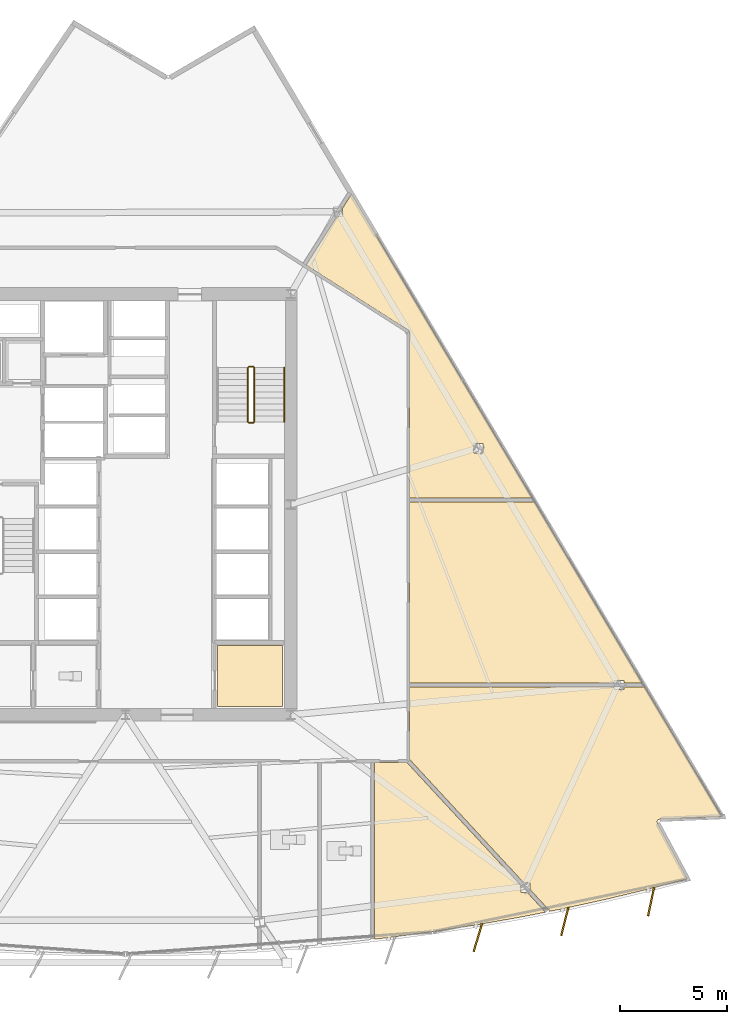
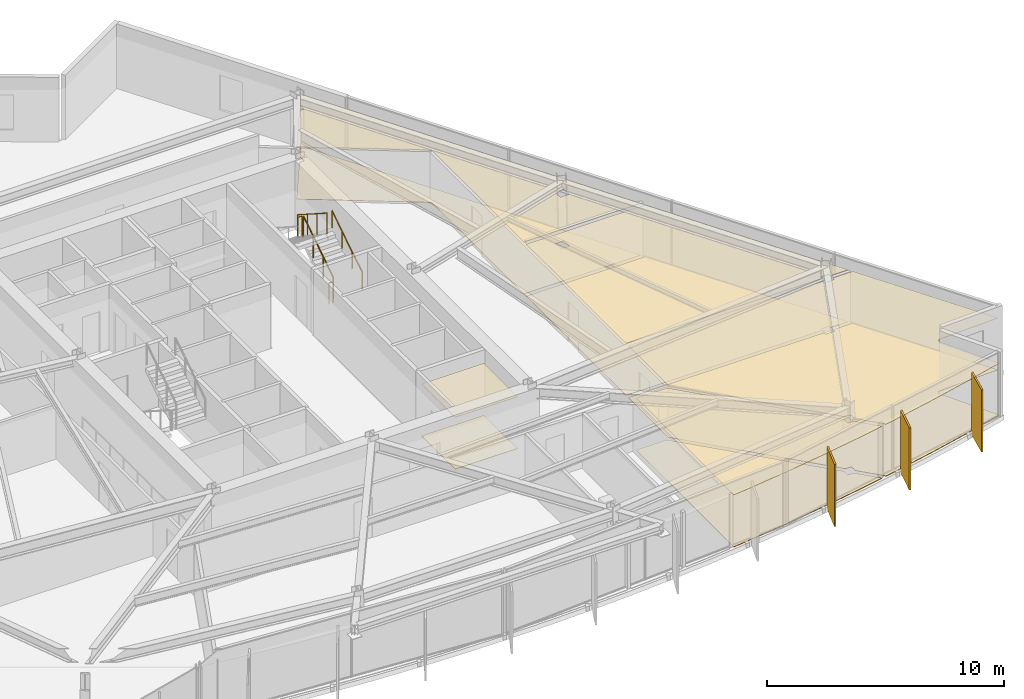
# One storey, part 13 of 15: 10 coverings, 5 railings, 3 shading devices.
"""IFC4 building model written with IfcOpenShell, lengths in metres."""

import ifcopenshell
import ifcopenshell.guid

model = None  # the IFC model being written
_history = None  # IfcOwnerHistory: only IFC2X3 demands one
_inside = {}  # id of a spatial element -> (the spatial element, [elements in it])
_under = {}  # id of a project, library or spatial element -> (it, [spatial elements below it])
_declared = {}  # id of a project -> (the project, [libraries it declares])
_typed = {}  # id of a type object -> (the type object, [elements of that type])
_made_of = {}  # id of a material, layer set ... -> (it, [elements and type objects made of it])


def new_model(schema):
    """Start an empty IFC model of exactly this schema.

    Asked for "IFC4X3", IfcOpenShell would pick the latest addendum, in which some entities
    have other attributes; the version numbers below select the first issue.
    IFC2X3 requires an IfcOwnerHistory on every rooted entity: one is made here for all.
    """
    global model, _history
    if schema == "IFC4X3":
        model = ifcopenshell.file(schema_version=(4, 3, 0, 0))
    else:
        model = ifcopenshell.file(schema=schema)
    _inside.clear()
    _under.clear()
    _declared.clear()
    _typed.clear()
    _made_of.clear()
    _history = None
    if model.schema == "IFC2X3":
        org = make("IfcOrganization", Name="unknown")
        user = make(
            "IfcPersonAndOrganization",
            ThePerson=make("IfcPerson", FamilyName="unknown"),
            TheOrganization=org,
        )
        app = make(
            "IfcApplication",
            ApplicationDeveloper=org,
            Version="unknown",
            ApplicationFullName="unknown",
            ApplicationIdentifier="unknown",
        )
        _history = make(
            "IfcOwnerHistory",
            OwningUser=user,
            OwningApplication=app,
            ChangeAction="ADDED",
            CreationDate=0,
        )
    return model


def make(cls, **values):
    """One entity of the class cls with the attributes given. An attribute that is None is left unset."""
    return model.create_entity(
        cls, **{name: value for name, value in values.items() if value is not None}
    )


def rooted(cls, **values):
    """An entity with a GlobalId (a new one), such as an element, a storey or a relation."""
    return make(cls, GlobalId=ifcopenshell.guid.new(), OwnerHistory=_history, **values)


def si_unit(unit_type, name, prefix=None):
    """IfcSIUnit, for example si_unit("LENGTHUNIT", "METRE", prefix="MILLI")."""
    return make("IfcSIUnit", UnitType=unit_type, Prefix=prefix, Name=name)


def assignment(units):
    """IfcUnitAssignment: the units of a project."""
    return None if units is None else make("IfcUnitAssignment", Units=units)


def point(xyz):
    """IfcCartesianPoint."""
    return None if xyz is None else make("IfcCartesianPoint", Coordinates=xyz)


def direction(xyz):
    """IfcDirection."""
    return None if xyz is None else make("IfcDirection", DirectionRatios=xyz)


def frame(location, z_axis=None, x_axis=None):
    """IfcAxis2Placement3D, a coordinate frame: its origin and axes. An axis left out is left unset."""
    return make(
        "IfcAxis2Placement3D",
        Location=point(location),
        Axis=direction(z_axis),
        RefDirection=direction(x_axis),
    )


def frame_2d(location, x_axis=None):
    """IfcAxis2Placement2D, a coordinate frame in the plane: its origin and x axis."""
    return make(
        "IfcAxis2Placement2D", Location=point(location), RefDirection=direction(x_axis)
    )


def origin():
    """The frame at (0, 0, 0) with its axes left unset."""
    return frame((0.0, 0.0, 0.0))


def origin_2d():
    """The frame at (0, 0) in the plane with its x axis left unset."""
    return frame_2d((0.0, 0.0))


def place(relative_to, where):
    """IfcLocalPlacement: puts the frame where relative to a parent placement (None: the world)."""
    return make(
        "IfcLocalPlacement", PlacementRelTo=relative_to, RelativePlacement=where
    )


def context(
    kind, dimensions, precision=None, world=None, true_north=None, identifier=None
):
    """IfcGeometricRepresentationContext, for example the 3D "Model" context."""
    return make(
        "IfcGeometricRepresentationContext",
        ContextIdentifier=identifier,
        ContextType=kind,
        CoordinateSpaceDimension=dimensions,
        Precision=precision,
        WorldCoordinateSystem=world,
        TrueNorth=true_north,
    )


def subcontext(parent, identifier, kind, view, scale=None):
    """IfcGeometricRepresentationSubContext, for example "Body" below "Model"."""
    return make(
        "IfcGeometricRepresentationSubContext",
        ContextIdentifier=identifier,
        ContextType=kind,
        ParentContext=parent,
        TargetScale=scale,
        TargetView=view,
    )


def project(units=None, contexts=None):
    """IfcProject with its units and contexts."""
    return rooted(
        "IfcProject",
        Name="project",
        RepresentationContexts=contexts,
        UnitsInContext=assignment(units),
    )


def spatial(cls, under=None, at=None, **own):
    """A site, building, storey or space (cls), placed at a placement, below another one or the project."""
    s = rooted(cls, ObjectPlacement=at, **own)
    if under is not None:
        _under.setdefault(under.id(), (under, []))[1].append(s)
    return s


def polyline(points):
    """IfcPolyline through the points."""
    return make("IfcPolyline", Points=[point(p) for p in points])


def profile(cls, at=None, kind="AREA", **sizes):
    """A parametric profile (cls). Its sizes go by their IFC names, for example OverallWidth=200.0."""
    return make(cls, ProfileType=kind, Position=at, **sizes)


def rectangle(**sizes):
    """IfcRectangleProfileDef."""
    return profile("IfcRectangleProfileDef", **sizes)


def circle(**sizes):
    """IfcCircleProfileDef."""
    return profile("IfcCircleProfileDef", **sizes)


def outline(outer, holes=None, kind="AREA"):
    """IfcArbitraryClosedProfileDef: a profile drawn as a closed curve; with holes, ...WithVoids."""
    if holes is None:
        return make("IfcArbitraryClosedProfileDef", ProfileType=kind, OuterCurve=outer)
    return make(
        "IfcArbitraryProfileDefWithVoids",
        ProfileType=kind,
        OuterCurve=outer,
        InnerCurves=holes,
    )


def extrude(swept, where, along, depth):
    """IfcExtrudedAreaSolid: the profile swept, set in the frame where, extruded along a direction by depth."""
    return make(
        "IfcExtrudedAreaSolid",
        SweptArea=swept,
        Position=where,
        ExtrudedDirection=direction(along),
        Depth=depth,
    )


def shape(context_of_items, identifier, shape_type, items):
    """IfcShapeRepresentation: the items that make up one representation, for example the "Body"."""
    return make(
        "IfcShapeRepresentation",
        ContextOfItems=context_of_items,
        RepresentationIdentifier=identifier,
        RepresentationType=shape_type,
        Items=items,
    )


def material(Name=None, Category=None):
    """IfcMaterial."""
    return make("IfcMaterial", Name=Name, Category=Category)


def layer(
    of_material, thickness, ventilated=None, Name=None, Category=None, Priority=None
):
    """IfcMaterialLayer: one layer of a wall or slab, of a material (None: an air gap)."""
    return make(
        "IfcMaterialLayer",
        Material=of_material,
        LayerThickness=thickness,
        IsVentilated=ventilated,
        Name=Name,
        Category=Category,
        Priority=Priority,
    )


def layer_set(layers, Name=None):
    """IfcMaterialLayerSet."""
    return make("IfcMaterialLayerSet", MaterialLayers=layers, LayerSetName=Name)


def made_of(thing, what):
    """Note that an element or type object is made of a material, layer set ...; save() writes the relation."""
    if what is not None:
        _made_of.setdefault(what.id(), (what, []))[1].append(thing)
    return thing


def type_object(cls, material=None, **own):
    """A type object (cls), such as IfcWallType, which elements share."""
    return made_of(rooted(cls, **own), material)


def element(
    cls,
    number,
    at=None,
    inside=None,
    cuts=None,
    type_object=None,
    material=None,
    context=None,
    identifier="Body",
    shape_type=None,
    held_by="IfcProductDefinitionShape",
    body=None,
    shapes=None,
    **own,
):
    """One element of the class cls, such as IfcWall. Its Tag is "e" and its number.

    at: its placement. inside: the storey or other place that contains it. cuts: it is an
    opening in that element (IfcRelVoidsElement). A single representation is given by context,
    identifier, shape_type and body (its items); several are given by shapes. held_by: the class
    of the entity that holds the representations. save() writes the other relations.
    """
    e = rooted(cls, Tag="e%d" % number, ObjectPlacement=at, **own)
    if body is not None:
        shapes = [shape(context, identifier, shape_type, body)]
    if shapes is not None:
        e.Representation = make(held_by, Representations=shapes)
    if inside is not None:
        _inside.setdefault(inside.id(), (inside, []))[1].append(e)
    if cuts is not None:
        rooted(
            "IfcRelVoidsElement", RelatingBuildingElement=cuts, RelatedOpeningElement=e
        )
    if type_object is not None:
        _typed.setdefault(type_object.id(), (type_object, []))[1].append(e)
    return made_of(e, material)


def aggregate(whole, parts):
    """IfcRelAggregates: a whole, such as a stair, and the parts it consists of."""
    return rooted("IfcRelAggregates", RelatingObject=whole, RelatedObjects=parts)


def save(model, path):
    """Write the relations noted so far, then the file.

    IfcRelAggregates (storeys below a building ...), IfcRelContainedInSpatialStructure (elements
    in a storey), IfcRelDefinesByType, IfcRelAssociatesMaterial and IfcRelDeclares: one each for
    every whole, place, type object, material and project.
    """
    for whole, parts in _under.values():
        aggregate(whole, parts)
    for where, things in _inside.values():
        rooted(
            "IfcRelContainedInSpatialStructure",
            RelatedElements=things,
            RelatingStructure=where,
        )
    for kind, things in _typed.values():
        rooted("IfcRelDefinesByType", RelatedObjects=things, RelatingType=kind)
    for what, things in _made_of.values():
        rooted("IfcRelAssociatesMaterial", RelatedObjects=things, RelatingMaterial=what)
    for by, libraries in _declared.values():
        rooted("IfcRelDeclares", RelatingContext=by, RelatedDefinitions=libraries)
    model.write(path)


model = new_model("IFC4")

# Units and contexts
model_context = context("Model", 3, precision=1e-05, world=origin(), true_north=direction((0.0, 1.0)))
body_context = subcontext(model_context, "Body", "Model", "MODEL_VIEW")
ifc_project = project(units=[si_unit("LENGTHUNIT", "METRE"), si_unit("AREAUNIT", "SQUARE_METRE"), si_unit("VOLUMEUNIT", "CUBIC_METRE"), si_unit("PLANEANGLEUNIT", "RADIAN"), si_unit("MASSUNIT", "GRAM", prefix="KILO")], contexts=[model_context])

# Site, building, storey
site_placement = place(None, origin())
site = spatial("IfcSite", under=ifc_project, at=site_placement, CompositionType="ELEMENT")
building_placement = place(site_placement, origin())
building = spatial("IfcBuilding", under=site, at=building_placement, Name="Savorim Split Tower", CompositionType="ELEMENT")
storey_placement = place(building_placement, frame((0.0, 0.0, 111.300048828125)))
storey = spatial("IfcBuildingStorey", under=building, at=storey_placement, Name="L29", CompositionType="ELEMENT", Elevation=111.300048828125)

# Coverings
ifc_material_1 = material(Name="Mineral Fibre Acoustic Ceiling")
ifc_layer_1 = layer(ifc_material_1, 0.02490234375)
ifc_layer_set_1 = layer_set([ifc_layer_1], Name="COV-CEIL-25")
covering_type_1 = type_object("IfcCoveringType", Name="COV-CEIL-25", PredefinedType="CEILING", material=ifc_layer_set_1)
covering_1_placement = place(storey_placement, frame((0.0, 0.0, 2.669921875)))
element("IfcCovering", 1, at=covering_1_placement, inside=storey, type_object=covering_type_1, Name="L29 Core IT Server Room Acoustic Ceiling", PredefinedType="CEILING", context=body_context, shape_type="SweptSolid", body=[
    extrude(outline(polyline([(4.280029296875, -6.179931640625), (4.280029296875, -9.02001953125), (7.320068359375, -9.02001953125), (7.320068359375, -6.179931640625), (4.280029296875, -6.179931640625)])), origin(), (0.0, 0.0, 1.0), 0.025146484375),
])
covering_2_placement = place(storey_placement, frame((0.0, 0.0, 2.669921875)))
element("IfcCovering", 2, at=covering_2_placement, inside=storey, type_object=covering_type_1, Name="L29 Co-Living Bedroom Acoustic Ceiling", PredefinedType="CEILING", context=body_context, shape_type="SweptSolid", body=[
    extrude(outline(polyline([(12.262939453125, -19.77734375), (14.2939453125, -19.505615234375), (16.318603515625, -19.1923828125), (18.336669921875, -18.837890625), (19.565673828125, -18.595947265625), (18.71044921875, -17.672119140625), (18.425048828125, -17.672119140625), (18.425048828125, -17.36376953125), (13.129150390625, -11.643310546875), (13.107177734375, -11.61962890625), (13.10009765625, -11.6201171875), (11.60693359375, -11.6201171875), (11.60693359375, -19.8515625), (12.262939453125, -19.77734375)])), origin(), (0.0, 0.0, 1.0), 0.025146484375),
])
covering_3_placement = place(storey_placement, frame((0.0, 0.0, 2.669921875)))
element("IfcCovering", 3, at=covering_3_placement, inside=storey, type_object=covering_type_1, Name="L29 Co-Working Commons Acoustic Ceiling", PredefinedType="CEILING", context=body_context, shape_type="SweptSolid", body=[
    extrude(outline(polyline([(24.857421875, -14.2685546875), (24.86865234375, -14.2666015625), (24.880126953125, -14.265380859375), (27.78271484375, -14.141845703125), (24.176513671875, -8.0771484375), (24.176513671875, -8.110107421875), (23.216552734375, -8.110107421875), (23.216552734375, -8.233154296875), (22.79052734375, -8.233154296875), (22.79052734375, -8.110107421875), (13.239990234375, -8.110107421875), (13.239990234375, -11.47998046875), (13.23974609375, -11.4833984375), (18.56591796875, -17.236083984375), (18.85107421875, -17.236083984375), (18.85107421875, -17.544189453125), (19.705078125, -18.466796875), (19.76953125, -18.536376953125), (19.742919921875, -18.560791015625), (20.34716796875, -18.44189453125), (22.348876953125, -18.005126953125), (24.34130859375, -17.52734375), (26.177490234375, -17.04736328125), (24.779541015625, -14.44189453125), (24.7744140625, -14.431640625), (24.7705078125, -14.4208984375), (24.767578125, -14.40966796875), (24.765869140625, -14.398193359375), (24.76513671875, -14.38671875), (24.765625, -14.375), (24.76708984375, -14.36376953125), (24.769775390625, -14.352294921875), (24.7734375, -14.341552734375), (24.7783203125, -14.3310546875), (24.783935546875, -14.32080078125), (24.79052734375, -14.3115234375), (24.798095703125, -14.302734375), (24.806396484375, -14.294921875), (24.8154296875, -14.28759765625), (24.8251953125, -14.281494140625), (24.83544921875, -14.276123046875), (24.84619140625, -14.271728515625), (24.857421875, -14.2685546875)])), origin(), (0.0, 0.0, 1.0), 0.025146484375),
])
covering_4_placement = place(storey_placement, frame((0.0, 0.0, 2.669921875)))
element("IfcCovering", 4, at=covering_4_placement, inside=storey, type_object=covering_type_1, Name="L29 Maker Workshop Acoustic Ceiling", PredefinedType="CEILING", context=body_context, shape_type="SweptSolid", body=[
    extrude(outline(polyline([(23.216552734375, -7.797119140625), (23.216552734375, -7.920166015625), (24.081298828125, -7.920166015625), (24.0830078125, -7.920166015625), (19.070068359375, 0.510498046875), (13.239990234375, 0.510498046875), (13.239990234375, -7.920166015625), (22.79052734375, -7.920166015625), (22.79052734375, -7.797119140625), (23.216552734375, -7.797119140625)])), origin(), (0.0, 0.0, 1.0), 0.025146484375),
])
covering_5_placement = place(storey_placement, frame((0.0, 0.0, 2.669921875)))
element("IfcCovering", 5, at=covering_5_placement, inside=storey, type_object=covering_type_1, Name="L29 Quiet Study Room Acoustic Ceiling", PredefinedType="CEILING", context=body_context, shape_type="SweptSolid", body=[
    extrude(outline(polyline([(13.2373046875, 8.427978515625), (13.2392578125, 8.4140625), (13.239990234375, 8.39990234375), (13.239990234375, 0.70068359375), (18.95703125, 0.70068359375), (10.53369140625, 14.86669921875), (10.10498046875, 14.19287109375), (10.10498046875, 13.817138671875), (9.865966796875, 13.817138671875), (8.41943359375, 11.54296875), (13.175048828125, 8.51806640625), (13.1865234375, 8.510009765625), (13.197265625, 8.500732421875), (13.206787109375, 8.490478515625), (13.21533203125, 8.479248046875), (13.22265625, 8.46728515625), (13.22900390625, 8.45458984375), (13.233642578125, 8.44140625), (13.2373046875, 8.427978515625)]), holes=[polyline([(16.66064453125, 2.7919921875), (16.66064453125, 3.22802734375), (16.234619140625, 3.22802734375), (16.234619140625, 2.7919921875), (16.66064453125, 2.7919921875)])]), origin(), (0.0, 0.0, 1.0), 0.025146484375),
])
ifc_material_2 = material(Name="Porcelain Stoneware Flooring", Category="masonry")
ifc_layer_2 = layer(ifc_material_2, 0.02001953125)
ifc_layer_set_2 = layer_set([ifc_layer_2], Name="COV-FLOR-20")
covering_type_2 = type_object("IfcCoveringType", Name="COV-FLOR-20", PredefinedType="FLOORING", material=ifc_layer_set_2)
covering_6_placement = place(storey_placement, origin())
element("IfcCovering", 6, at=covering_6_placement, inside=storey, type_object=covering_type_2, Name="L29 Core IT Server Room Porcelain Flooring", PredefinedType="FLOORING", context=body_context, shape_type="SweptSolid", body=[
    extrude(outline(polyline([(4.280029296875, -6.179931640625), (4.280029296875, -9.02001953125), (7.320068359375, -9.02001953125), (7.320068359375, -6.179931640625), (4.280029296875, -6.179931640625)])), origin(), (0.0, 0.0, 1.0), 0.02001953125),
])
covering_7_placement = place(storey_placement, origin())
element("IfcCovering", 7, at=covering_7_placement, inside=storey, type_object=covering_type_2, Name="L29 Co-Living Bedroom Porcelain Flooring", PredefinedType="FLOORING", context=body_context, shape_type="SweptSolid", body=[
    extrude(outline(polyline([(12.262939453125, -19.77734375), (14.2939453125, -19.505615234375), (16.318603515625, -19.1923828125), (18.336669921875, -18.837890625), (19.565673828125, -18.595947265625), (18.71044921875, -17.672119140625), (18.425048828125, -17.672119140625), (18.425048828125, -17.36376953125), (13.129150390625, -11.643310546875), (13.107177734375, -11.61962890625), (13.10009765625, -11.6201171875), (11.60693359375, -11.6201171875), (11.60693359375, -19.8515625), (12.262939453125, -19.77734375)])), origin(), (0.0, 0.0, 1.0), 0.02001953125),
])
covering_8_placement = place(storey_placement, origin())
element("IfcCovering", 8, at=covering_8_placement, inside=storey, type_object=covering_type_2, Name="L29 Co-Working Commons Porcelain Flooring", PredefinedType="FLOORING", context=body_context, shape_type="SweptSolid", body=[
    extrude(outline(polyline([(24.857421875, -14.2685546875), (24.86865234375, -14.2666015625), (24.880126953125, -14.265380859375), (27.78271484375, -14.141845703125), (24.176513671875, -8.0771484375), (24.176513671875, -8.110107421875), (23.216552734375, -8.110107421875), (23.216552734375, -8.233154296875), (22.79052734375, -8.233154296875), (22.79052734375, -8.110107421875), (13.239990234375, -8.110107421875), (13.239990234375, -11.47998046875), (13.23974609375, -11.4833984375), (18.56591796875, -17.236083984375), (18.85107421875, -17.236083984375), (18.85107421875, -17.544189453125), (19.705078125, -18.466796875), (19.76953125, -18.536376953125), (19.742919921875, -18.560791015625), (20.34716796875, -18.44189453125), (22.348876953125, -18.005126953125), (24.34130859375, -17.52734375), (26.177490234375, -17.04736328125), (24.779541015625, -14.44189453125), (24.7744140625, -14.431640625), (24.7705078125, -14.4208984375), (24.767578125, -14.40966796875), (24.765869140625, -14.398193359375), (24.76513671875, -14.38671875), (24.765625, -14.375), (24.76708984375, -14.36376953125), (24.769775390625, -14.352294921875), (24.7734375, -14.341552734375), (24.7783203125, -14.3310546875), (24.783935546875, -14.32080078125), (24.79052734375, -14.3115234375), (24.798095703125, -14.302734375), (24.806396484375, -14.294921875), (24.8154296875, -14.28759765625), (24.8251953125, -14.281494140625), (24.83544921875, -14.276123046875), (24.84619140625, -14.271728515625), (24.857421875, -14.2685546875)])), origin(), (0.0, 0.0, 1.0), 0.02001953125),
])
covering_9_placement = place(storey_placement, origin())
element("IfcCovering", 9, at=covering_9_placement, inside=storey, type_object=covering_type_2, Name="L29 Maker Workshop Porcelain Flooring", PredefinedType="FLOORING", context=body_context, shape_type="SweptSolid", body=[
    extrude(outline(polyline([(23.216552734375, -7.797119140625), (23.216552734375, -7.920166015625), (24.081298828125, -7.920166015625), (24.0830078125, -7.920166015625), (19.070068359375, 0.510498046875), (13.239990234375, 0.510498046875), (13.239990234375, -7.920166015625), (22.79052734375, -7.920166015625), (22.79052734375, -7.797119140625), (23.216552734375, -7.797119140625)])), origin(), (0.0, 0.0, 1.0), 0.02001953125),
])
covering_10_placement = place(storey_placement, origin())
element("IfcCovering", 10, at=covering_10_placement, inside=storey, type_object=covering_type_2, Name="L29 Quiet Study Room Porcelain Flooring", PredefinedType="FLOORING", context=body_context, shape_type="SweptSolid", body=[
    extrude(outline(polyline([(13.2373046875, 8.427978515625), (13.2392578125, 8.4140625), (13.239990234375, 8.39990234375), (13.239990234375, 0.70068359375), (18.95703125, 0.70068359375), (10.53369140625, 14.86669921875), (10.10498046875, 14.19287109375), (10.10498046875, 13.817138671875), (9.865966796875, 13.817138671875), (8.41943359375, 11.54296875), (13.175048828125, 8.51806640625), (13.1865234375, 8.510009765625), (13.197265625, 8.500732421875), (13.206787109375, 8.490478515625), (13.21533203125, 8.479248046875), (13.22265625, 8.46728515625), (13.22900390625, 8.45458984375), (13.233642578125, 8.44140625), (13.2373046875, 8.427978515625)]), holes=[polyline([(16.66064453125, 2.7919921875), (16.66064453125, 3.22802734375), (16.234619140625, 3.22802734375), (16.234619140625, 2.7919921875), (16.66064453125, 2.7919921875)])]), origin(), (0.0, 0.0, 1.0), 0.02001953125),
])

# Railings
ifc_material_3 = material(Name="Galvanised Painted Steel Balustrade", Category="steel")
railing_type_1 = type_object("IfcRailingType", Name="RLG-HR-900", PredefinedType="HANDRAIL", material=ifc_material_3)
railing_1_placement = place(storey_placement, frame((7.39990234375, 4.25, 0.179931640625)))
element("IfcRailing", 11, at=railing_1_placement, inside=storey, type_object=railing_type_1, Name="L29 ST-2 stair handrail 1", PredefinedType="HANDRAIL", context=body_context, shape_type="SweptSolid", body=[
    extrude(circle(Radius=0.02392578125, at=origin_2d()), frame((0.0, 0.0, 0.8759765625), z_axis=(0.0, 0.841162588446, 0.540782303519), x_axis=(-1.0, 0.0, 0.0)), (0.0, 0.0, 1.0), 2.995849609375),
    extrude(circle(Radius=0.02099609375, at=origin_2d()), origin(), (0.0, 0.0, 1.0), 0.851806640625),
    extrude(circle(Radius=0.02099609375, at=origin_2d()), frame((0.0, 0.840087890625, 0.5400390625)), (0.0, 0.0, 1.0), 0.851806640625),
    extrude(circle(Radius=0.02099609375, at=origin_2d()), frame((0.0, 1.679931640625, 1.080078125)), (0.0, 0.0, 1.0), 0.851806640625),
    extrude(circle(Radius=0.02099609375, at=origin_2d()), frame((0.0, 2.52001953125, 1.6201171875)), (0.0, 0.0, 1.0), 0.851806640625),
])
railing_type_2 = type_object("IfcRailingType", Name="RLG-STG-1100", PredefinedType="BALUSTRADE", material=ifc_material_3)
railing_2_placement = place(storey_placement, frame((6.0, 4.25, 0.179931640625)))
element("IfcRailing", 12, at=railing_2_placement, inside=storey, type_object=railing_type_2, Name="L29 ST-2 stair guard 1", PredefinedType="BALUSTRADE", context=body_context, shape_type="SweptSolid", body=[
    extrude(circle(Radius=0.02392578125, at=origin_2d()), frame((0.0, 0.0, 1.076171875), z_axis=(0.0, 0.841162588446, 0.540782303519), x_axis=(-1.0, 0.0, 0.0)), (0.0, 0.0, 1.0), 2.995849609375),
    extrude(circle(Radius=0.02099609375, at=origin_2d()), origin(), (0.0, 0.0, 1.0), 1.052001953125),
    extrude(circle(Radius=0.02099609375, at=origin_2d()), frame((0.0, 0.840087890625, 0.5400390625)), (0.0, 0.0, 1.0), 1.052001953125),
    extrude(circle(Radius=0.02099609375, at=origin_2d()), frame((0.0, 1.679931640625, 1.080078125)), (0.0, 0.0, 1.0), 1.052001953125),
    extrude(circle(Radius=0.02099609375, at=origin_2d()), frame((0.0, 2.52001953125, 1.6201171875)), (0.0, 0.0, 1.0), 1.052001953125),
])
railing_3_placement = place(storey_placement, frame((5.949951171875, 6.820068359375, 1.800048828125)))
element("IfcRailing", 13, at=railing_3_placement, inside=storey, type_object=railing_type_2, Name="L29 ST-2 stair guard 2", PredefinedType="BALUSTRADE", context=body_context, shape_type="SweptSolid", body=[
    extrude(circle(Radius=0.02392578125, at=origin_2d()), frame((0.0, 0.0, 1.076171875), z_axis=(-1.0, 0.0, 0.0), x_axis=(0.0, -1.0, 0.0)), (0.0, 0.0, 1.0), 0.199951171875),
    extrude(circle(Radius=0.02099609375, at=origin_2d()), origin(), (0.0, 0.0, 1.0), 1.052001953125),
    extrude(circle(Radius=0.02099609375, at=origin_2d()), frame((-0.199951171875, 0.0, 0.0)), (0.0, 0.0, 1.0), 1.052001953125),
])
railing_4_placement = place(storey_placement, frame((5.699951171875, 6.77001953125, 1.97998046875)))
element("IfcRailing", 14, at=railing_4_placement, inside=storey, type_object=railing_type_2, Name="L29 ST-2 stair guard 3", PredefinedType="BALUSTRADE", context=body_context, shape_type="SweptSolid", body=[
    extrude(circle(Radius=0.02392578125, at=origin_2d()), frame((0.0, 0.0, 1.076171875), z_axis=(0.0, -0.841199657755, 0.540724639528), x_axis=(1.0, 0.0, 0.0)), (0.0, 0.0, 1.0), 2.995849609375),
    extrude(circle(Radius=0.02099609375, at=origin_2d()), origin(), (0.0, 0.0, 1.0), 1.052001953125),
    extrude(circle(Radius=0.02099609375, at=origin_2d()), frame((0.0, -0.840087890625, 0.5400390625)), (0.0, 0.0, 1.0), 1.052001953125),
    extrude(circle(Radius=0.02099609375, at=origin_2d()), frame((0.0, -1.679931640625, 1.079833984375)), (0.0, 0.0, 1.0), 1.052001953125),
    extrude(circle(Radius=0.02099609375, at=origin_2d()), frame((0.0, -2.52001953125, 1.619873046875)), (0.0, 0.0, 1.0), 1.052001953125),
])
railing_5_placement = place(storey_placement, frame((5.949951171875, 4.199951171875, 0.0)))
element("IfcRailing", 15, at=railing_5_placement, inside=storey, type_object=railing_type_2, Name="L29 ST-2 stair guard 4", PredefinedType="BALUSTRADE", context=body_context, shape_type="SweptSolid", body=[
    extrude(circle(Radius=0.02392578125, at=origin_2d()), frame((0.0, 0.0, 1.076171875), z_axis=(-1.0, 0.0, 0.0), x_axis=(0.0, -1.0, 0.0)), (0.0, 0.0, 1.0), 0.199951171875),
    extrude(circle(Radius=0.02099609375, at=origin_2d()), origin(), (0.0, 0.0, 1.0), 1.052001953125),
    extrude(circle(Radius=0.02099609375, at=origin_2d()), frame((-0.199951171875, 0.0, 0.0)), (0.0, 0.0, 1.0), 1.052001953125),
])

# Shading devices
ifc_material_4 = material(Name="Terracotta Ceramic-Coated Aluminium Fin", Category="masonry")
shading_device_type = type_object("IfcShadingDeviceType", Name="SHD-FIN-1360", PredefinedType="USERDEFINED", material=ifc_material_4)
for number, where, z_axis, x_axis, name in (
    (16, (16.415771484375, -19.780517578125, -0.2001953125), (0.0, 0.0, 1.0), (-0.286026212504, -0.958221793616, 0.0), "L29 Sawtooth Shading Fin 11"),
    (17, (20.46826171875, -19.025634765625, -0.2001953125), (0.0, 0.0, 1.0), (-0.246581250663, -0.969122121727, 0.0), "L29 Sawtooth Shading Fin 12"),
    (18, (24.486328125, -18.105712890625, -0.2001953125), (0.0, 0.0, 1.0), (-0.206721626106, -0.978399800337, 0.0), "L29 Sawtooth Shading Fin 13"),
):
    element("IfcShadingDevice", number, at=place(storey_placement, frame(where, z_axis=z_axis, x_axis=x_axis)), inside=storey, type_object=shading_device_type, Name=name, ObjectType="FIN", PredefinedType="USERDEFINED", context=body_context, shape_type="SweptSolid", body=[
        extrude(rectangle(XDim=1.360107421875, YDim=0.080078125, at=origin_2d()), origin(), (0.0, 0.0, 1.0), 3.199951171875),
    ])

save(model, "model.ifc")
